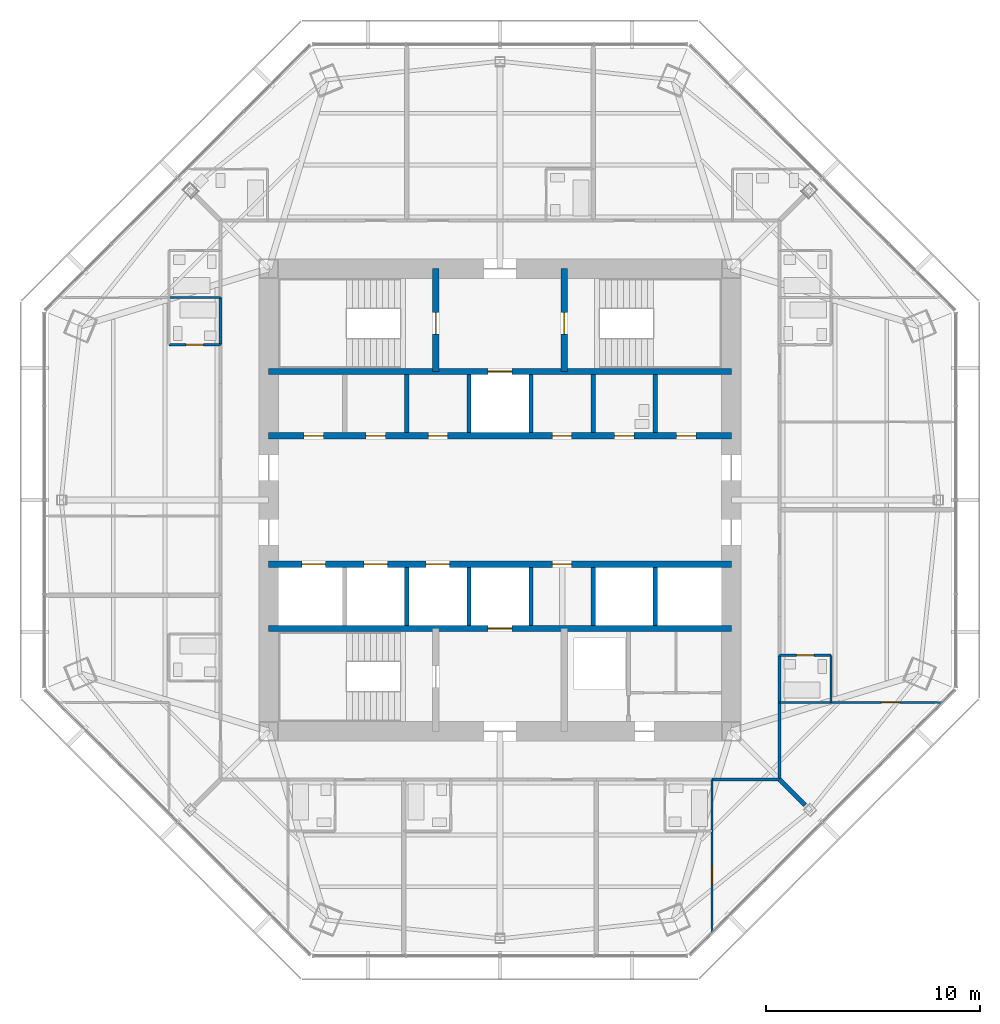
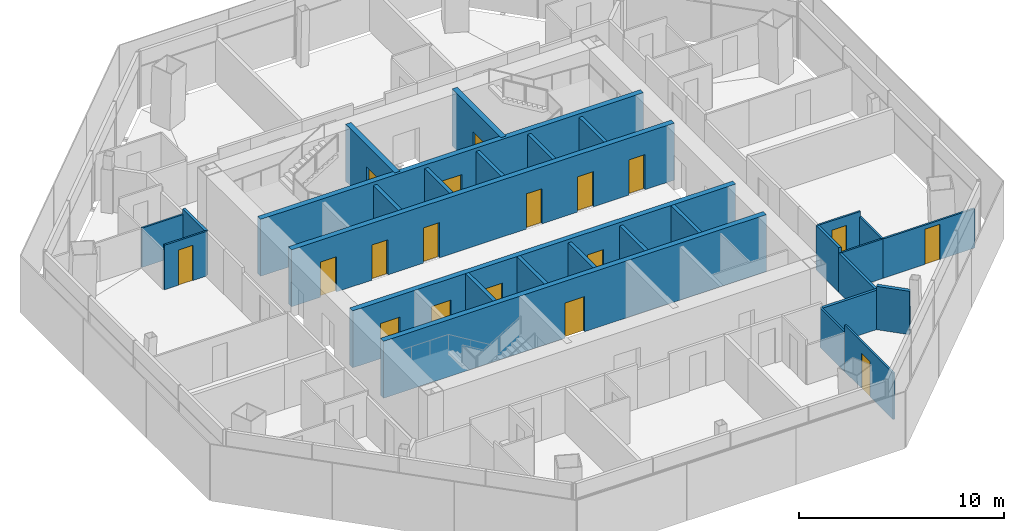
# One storey, part 10 of 14: 29 walls, 18 doors, 18 openings.
"""IFC4 building model written with IfcOpenShell, lengths in metres."""

from ifc_helpers import new_model, si_unit, direction, frame, frame_2d, origin, place, context, subcontext, project, spatial, rectangle, extrude, material, layer, layer_set, type_object, element, fill, save


model = new_model("IFC4")

# Units and contexts
model_context = context("Model", 3, precision=1e-05, world=origin(), true_north=direction((0.0, 1.0)))
body_context = subcontext(model_context, "Body", "Model", "MODEL_VIEW")
ifc_project = project(units=[si_unit("LENGTHUNIT", "METRE"), si_unit("AREAUNIT", "SQUARE_METRE"), si_unit("VOLUMEUNIT", "CUBIC_METRE"), si_unit("PLANEANGLEUNIT", "RADIAN"), si_unit("MASSUNIT", "GRAM", prefix="KILO")], contexts=[model_context])

# Site, building, storey
site_placement = place(None, origin())
site = spatial("IfcSite", under=ifc_project, at=site_placement, CompositionType="ELEMENT")
building_placement = place(site_placement, origin())
building = spatial("IfcBuilding", under=site, at=building_placement, Name="Mashrafa Tower", CompositionType="ELEMENT")
storey_placement = place(building_placement, frame((0.0, 0.0, 238.0)))
storey = spatial("IfcBuildingStorey", under=building, at=storey_placement, Name="L56", CompositionType="ELEMENT", Elevation=238.0)

# Wall
ifc_material_1 = material(Name="Gypsum board on steel studs", Category="steel")
ifc_layer_1 = layer(ifc_material_1, 0.199951171875)
ifc_layer_set_1 = layer_set([ifc_layer_1], Name="Acoustic partition 200 1 hr")
wall_type_1 = type_object("IfcWallType", Name="Acoustic partition 200 1 hr", PredefinedType="PARTITIONING", material=ifc_layer_set_1)
wall_1_placement = place(storey_placement, frame((13.050048828125, -13.050048828125, 0.0), z_axis=(0.0, 0.0, 1.0), x_axis=(0.707106781187, -0.707106781187, 0.0)))
element("IfcWall", 1, at=wall_1_placement, inside=storey, type_object=wall_type_1, Name="Acoustic wall L56-048", PredefinedType="PARTITIONING", context=body_context, shape_type="SweptSolid", body=[
    extrude(rectangle(XDim=1.686279296875, YDim=0.199951171875, at=frame_2d((0.84326171875, 0.0))), origin(), (0.0, 0.0, 1.0), 2.587890625),
])

# Wall, openings, doors
ifc_material_2 = material(Name="Concrete C50/60", Category="concrete")
ifc_layer_2 = layer(ifc_material_2, 0.300048828125)
ifc_layer_set_2 = layer_set([ifc_layer_2], Name="Core wall 300 C50/60")
wall_type_2 = type_object("IfcWallType", Name="Core wall 300 C50/60", PredefinedType="SOLIDWALL", material=ifc_layer_set_2)
wall_2_placement = place(storey_placement, frame((-10.800048828125, 3.0, 0.0), z_axis=(0.0, 0.0, 1.0), x_axis=(1.0, 0.0, 0.0)))
wall_2 = element("IfcWall", 2, at=wall_2_placement, inside=storey, type_object=wall_type_2, Name="Core wall CH-N L56", PredefinedType="SOLIDWALL", context=body_context, shape_type="SweptSolid", body=[
    extrude(rectangle(XDim=21.60009765625, YDim=0.300048828125, at=frame_2d((10.800048828125, 0.0))), origin(), (0.0, 0.0, 1.0), 3.39990234375),
])
opening_1_placement = place(wall_2_placement, frame((1.64990234375, 0.0, 0.0)))
opening_1 = element("IfcOpeningElement", 3, at=opening_1_placement, cuts=wall_2, Name="Opening 56.044", PredefinedType="OPENING", context=body_context, shape_type="SweptSolid", body=[
    extrude(rectangle(XDim=0.89990234375, YDim=2.10009765625, at=frame_2d((0.449951171875, 1.050048828125))), frame((0.0, 0.159912109375, 0.0), z_axis=(0.0, -1.0, 0.0), x_axis=(1.0, 0.0, 0.0)), (0.0, 0.0, 1.0), 0.320068359375),
])
opening_2_placement = place(wall_2_placement, frame((13.25, 0.0, 0.0)))
opening_2 = element("IfcOpeningElement", 4, at=opening_2_placement, cuts=wall_2, Name="Opening 56.045", PredefinedType="OPENING", context=body_context, shape_type="SweptSolid", body=[
    extrude(rectangle(XDim=0.89990234375, YDim=2.10009765625, at=frame_2d((0.449951171875, 1.050048828125))), frame((0.0, 0.159912109375, 0.0), z_axis=(0.0, -1.0, 0.0), x_axis=(1.0, 0.0, 0.0)), (0.0, 0.0, 1.0), 0.320068359375),
])
opening_3_placement = place(wall_2_placement, frame((16.14990234375, 0.0, 0.0)))
opening_3 = element("IfcOpeningElement", 5, at=opening_3_placement, cuts=wall_2, Name="Opening 56.046", PredefinedType="OPENING", context=body_context, shape_type="SweptSolid", body=[
    extrude(rectangle(XDim=0.89990234375, YDim=2.10009765625, at=frame_2d((0.449951171875, 1.050048828125))), frame((0.0, 0.159912109375, 0.0), z_axis=(0.0, -1.0, 0.0), x_axis=(1.0, 0.0, 0.0)), (0.0, 0.0, 1.0), 0.320068359375),
])
opening_4_placement = place(wall_2_placement, frame((4.550048828125, 0.0, 0.0)))
opening_4 = element("IfcOpeningElement", 6, at=opening_4_placement, cuts=wall_2, Name="Opening 56.048", PredefinedType="OPENING", context=body_context, shape_type="SweptSolid", body=[
    extrude(rectangle(XDim=0.89990234375, YDim=2.10009765625, at=frame_2d((0.449951171875, 1.050048828125))), frame((0.0, 0.159912109375, 0.0), z_axis=(0.0, -1.0, 0.0), x_axis=(1.0, 0.0, 0.0)), (0.0, 0.0, 1.0), 0.320068359375),
])
opening_5_placement = place(wall_2_placement, frame((7.449951171875, 0.0, 0.0)))
opening_5 = element("IfcOpeningElement", 7, at=opening_5_placement, cuts=wall_2, Name="Opening 56.049", PredefinedType="OPENING", context=body_context, shape_type="SweptSolid", body=[
    extrude(rectangle(XDim=0.89990234375, YDim=2.10009765625, at=frame_2d((0.449951171875, 1.050048828125))), frame((0.0, 0.159912109375, 0.0), z_axis=(0.0, -1.0, 0.0), x_axis=(1.0, 0.0, 0.0)), (0.0, 0.0, 1.0), 0.320068359375),
])
opening_6_placement = place(wall_2_placement, frame((19.050048828125, 0.0, 0.0)))
opening_6 = element("IfcOpeningElement", 8, at=opening_6_placement, cuts=wall_2, Name="Opening 56.050", PredefinedType="OPENING", context=body_context, shape_type="SweptSolid", body=[
    extrude(rectangle(XDim=0.89990234375, YDim=2.10009765625, at=frame_2d((0.449951171875, 1.050048828125))), frame((0.0, 0.159912109375, 0.0), z_axis=(0.0, -1.0, 0.0), x_axis=(1.0, 0.0, 0.0)), (0.0, 0.0, 1.0), 0.320068359375),
])
ifc_material_3 = material(Name="Timber door", Category="wood")
door_type_1 = type_object("IfcDoorType", Name="Store door 900 x 2100", OperationType="USERDEFINED", PredefinedType="DOOR", material=ifc_material_3)
door_1_placement = place(opening_1_placement, origin())
door_1 = element("IfcDoor", 9, at=door_1_placement, inside=storey, type_object=door_type_1, Name="Refuse Chute Room L56 door", OperationType="SINGLE_SWING_RIGHT", OverallHeight=2.10009765625, OverallWidth=0.89990234375, PredefinedType="DOOR", context=body_context, shape_type="SweptSolid", body=[
    extrude(rectangle(XDim=0.89990234375, YDim=2.10009765625, at=frame_2d((0.449951171875, 1.050048828125))), frame((0.0, 0.02490234375, 0.0), z_axis=(0.0, -1.0, 0.0), x_axis=(1.0, 0.0, 0.0)), (0.0, 0.0, 1.0), 0.050048828125),
])
fill(opening_1, door_1)
door_2_placement = place(opening_2_placement, origin())
door_2 = element("IfcDoor", 10, at=door_2_placement, inside=storey, type_object=door_type_1, Name="Cleaner's Store L56 door", OperationType="SINGLE_SWING_LEFT", OverallHeight=2.10009765625, OverallWidth=0.89990234375, PredefinedType="DOOR", context=body_context, shape_type="SweptSolid", body=[
    extrude(rectangle(XDim=0.89990234375, YDim=2.10009765625, at=frame_2d((0.449951171875, 1.050048828125))), frame((0.0, 0.02490234375, 0.0), z_axis=(0.0, -1.0, 0.0), x_axis=(1.0, 0.0, 0.0)), (0.0, 0.0, 1.0), 0.050048828125),
])
fill(opening_2, door_2)
door_3_placement = place(opening_4_placement, origin())
door_3 = element("IfcDoor", 11, at=door_3_placement, inside=storey, type_object=door_type_1, Name="Residents' Store L56-A2 door", OperationType="SINGLE_SWING_LEFT", OverallHeight=2.10009765625, OverallWidth=0.89990234375, PredefinedType="DOOR", context=body_context, shape_type="SweptSolid", body=[
    extrude(rectangle(XDim=0.89990234375, YDim=2.10009765625, at=frame_2d((0.449951171875, 1.050048828125))), frame((0.0, 0.02490234375, 0.0), z_axis=(0.0, -1.0, 0.0), x_axis=(1.0, 0.0, 0.0)), (0.0, 0.0, 1.0), 0.050048828125),
])
fill(opening_4, door_3)
door_4_placement = place(opening_5_placement, origin())
door_4 = element("IfcDoor", 12, at=door_4_placement, inside=storey, type_object=door_type_1, Name="Residents' Store L56-A3 door", OperationType="SINGLE_SWING_LEFT", OverallHeight=2.10009765625, OverallWidth=0.89990234375, PredefinedType="DOOR", context=body_context, shape_type="SweptSolid", body=[
    extrude(rectangle(XDim=0.89990234375, YDim=2.10009765625, at=frame_2d((0.449951171875, 1.050048828125))), frame((0.0, 0.02490234375, 0.0), z_axis=(0.0, -1.0, 0.0), x_axis=(1.0, 0.0, 0.0)), (0.0, 0.0, 1.0), 0.050048828125),
])
fill(opening_5, door_4)
door_5_placement = place(opening_6_placement, origin())
door_5 = element("IfcDoor", 13, at=door_5_placement, inside=storey, type_object=door_type_1, Name="Residents' Store L56-K2 door", OperationType="SINGLE_SWING_LEFT", OverallHeight=2.10009765625, OverallWidth=0.89990234375, PredefinedType="DOOR", context=body_context, shape_type="SweptSolid", body=[
    extrude(rectangle(XDim=0.89990234375, YDim=2.10009765625, at=frame_2d((0.449951171875, 1.050048828125))), frame((0.0, 0.02490234375, 0.0), z_axis=(0.0, -1.0, 0.0), x_axis=(1.0, 0.0, 0.0)), (0.0, 0.0, 1.0), 0.050048828125),
])
fill(opening_6, door_5)
ifc_material_4 = material(Name="Timber door", Category="wood")
door_type_2 = type_object("IfcDoorType", Name="Toilet door 900 x 2100", OperationType="USERDEFINED", PredefinedType="DOOR", material=ifc_material_4)
door_6_placement = place(opening_3_placement, origin())
door_6 = element("IfcDoor", 14, at=door_6_placement, inside=storey, type_object=door_type_2, Name="Staff WC L56 door", OperationType="SINGLE_SWING_LEFT", OverallHeight=2.10009765625, OverallWidth=0.89990234375, PredefinedType="DOOR", context=body_context, shape_type="SweptSolid", body=[
    extrude(rectangle(XDim=0.89990234375, YDim=2.10009765625, at=frame_2d((0.449951171875, 1.050048828125))), frame((0.0, 0.02490234375, 0.0), z_axis=(0.0, -1.0, 0.0), x_axis=(1.0, 0.0, 0.0)), (0.0, 0.0, 1.0), 0.050048828125),
])
fill(opening_3, door_6)

# Wall, opening, door
wall_3_placement = place(storey_placement, frame((-10.800048828125, 6.0, 0.0), z_axis=(0.0, 0.0, 1.0), x_axis=(1.0, 0.0, 0.0)))
wall_3 = element("IfcWall", 15, at=wall_3_placement, inside=storey, type_object=wall_type_2, Name="Core wall CB-N L56", PredefinedType="SOLIDWALL", context=body_context, shape_type="SweptSolid", body=[
    extrude(rectangle(XDim=21.60009765625, YDim=0.300048828125, at=frame_2d((10.800048828125, 0.0))), origin(), (0.0, 0.0, 1.0), 3.39990234375),
])
opening_7_placement = place(wall_3_placement, frame((10.25, 0.0, 0.0)))
opening_7 = element("IfcOpeningElement", 16, at=opening_7_placement, cuts=wall_3, Name="Opening 56.F1", PredefinedType="OPENING", context=body_context, shape_type="SweptSolid", body=[
    extrude(rectangle(XDim=1.10009765625, YDim=2.10009765625, at=frame_2d((0.550048828125, 1.050048828125))), frame((0.0, 0.159912109375, 0.0), z_axis=(0.0, -1.0, 0.0), x_axis=(1.0, 0.0, 0.0)), (0.0, 0.0, 1.0), 0.320068359375),
])
ifc_material_5 = material(Name="Steel door", Category="steel")
door_type_3 = type_object("IfcDoorType", Name="Lift landing door 1100 x 2100 90 min", OperationType="DOUBLE_DOOR_SLIDING", PredefinedType="DOOR", material=ifc_material_5)
door_7_placement = place(opening_7_placement, origin())
door_7 = element("IfcDoor", 17, at=door_7_placement, inside=storey, type_object=door_type_3, Name="Lift landing door F1 L56", OperationType="DOUBLE_DOOR_SLIDING", OverallHeight=2.10009765625, OverallWidth=1.10009765625, PredefinedType="DOOR", context=body_context, shape_type="SweptSolid", body=[
    extrude(rectangle(XDim=1.10009765625, YDim=2.10009765625, at=frame_2d((0.550048828125, 1.050048828125))), frame((0.0, 0.02490234375, 0.0), z_axis=(0.0, -1.0, 0.0), x_axis=(1.0, 0.0, 0.0)), (0.0, 0.0, 1.0), 0.050048828125),
])
fill(opening_7, door_7)

wall_4_placement = place(storey_placement, frame((-3.0, 6.0, 0.0), z_axis=(0.0, 0.0, 1.0), x_axis=(0.0, 1.0, 0.0)))
wall_4 = element("IfcWall", 18, at=wall_4_placement, inside=storey, type_object=wall_type_2, Name="Core wall CX-NW L56", PredefinedType="SOLIDWALL", context=body_context, shape_type="SweptSolid", body=[
    extrude(rectangle(XDim=4.800048828125, YDim=0.300048828125, at=frame_2d((2.39990234375, 0.0))), origin(), (0.0, 0.0, 1.0), 3.39990234375),
])
opening_8_placement = place(wall_4_placement, frame((1.75, 0.0, 0.0)))
opening_8 = element("IfcOpeningElement", 19, at=opening_8_placement, cuts=wall_4, Name="Opening 56.037", PredefinedType="OPENING", context=body_context, shape_type="SweptSolid", body=[
    extrude(rectangle(XDim=1.0, YDim=2.10009765625, at=frame_2d((0.5, 1.050048828125))), frame((0.0, 0.159912109375, 0.0), z_axis=(0.0, -1.0, 0.0), x_axis=(1.0, 0.0, 0.0)), (0.0, 0.0, 1.0), 0.320068359375),
])
ifc_material_6 = material(Name="Steel door", Category="steel")
door_type_4 = type_object("IfcDoorType", Name="Stair door 1000 x 2100 90 min", OperationType="USERDEFINED", PredefinedType="DOOR", material=ifc_material_6)
door_8_placement = place(opening_8_placement, origin())
door_8 = element("IfcDoor", 20, at=door_8_placement, inside=storey, type_object=door_type_4, Name="Stair S1 door L56", OperationType="SINGLE_SWING_LEFT", OverallHeight=2.10009765625, OverallWidth=1.0, PredefinedType="DOOR", context=body_context, shape_type="SweptSolid", body=[
    extrude(rectangle(XDim=1.0, YDim=2.10009765625, at=frame_2d((0.5, 1.050048828125))), frame((0.0, 0.02490234375, 0.0), z_axis=(0.0, -1.0, 0.0), x_axis=(1.0, 0.0, 0.0)), (0.0, 0.0, 1.0), 0.050048828125),
])
fill(opening_8, door_8)

wall_5_placement = place(storey_placement, frame((3.0, 6.0, 0.0), z_axis=(0.0, 0.0, 1.0), x_axis=(0.0, 1.0, 0.0)))
wall_5 = element("IfcWall", 21, at=wall_5_placement, inside=storey, type_object=wall_type_2, Name="Core wall CX-NE L56", PredefinedType="SOLIDWALL", context=body_context, shape_type="SweptSolid", body=[
    extrude(rectangle(XDim=4.800048828125, YDim=0.300048828125, at=frame_2d((2.39990234375, 0.0))), origin(), (0.0, 0.0, 1.0), 3.39990234375),
])
opening_9_placement = place(wall_5_placement, frame((1.75, 0.0, 0.0)))
opening_9 = element("IfcOpeningElement", 22, at=opening_9_placement, cuts=wall_5, Name="Opening 56.038", PredefinedType="OPENING", context=body_context, shape_type="SweptSolid", body=[
    extrude(rectangle(XDim=1.0, YDim=2.10009765625, at=frame_2d((0.5, 1.050048828125))), frame((0.0, 0.159912109375, 0.0), z_axis=(0.0, -1.0, 0.0), x_axis=(1.0, 0.0, 0.0)), (0.0, 0.0, 1.0), 0.320068359375),
])
door_9_placement = place(opening_9_placement, frame((1.0, 0.0, 0.0), z_axis=(0.0, 0.0, 1.0), x_axis=(-1.0, 0.0, 0.0)))
door_9 = element("IfcDoor", 23, at=door_9_placement, inside=storey, type_object=door_type_4, Name="Stair S2 door L56", OperationType="SINGLE_SWING_RIGHT", OverallHeight=2.10009765625, OverallWidth=1.0, PredefinedType="DOOR", context=body_context, shape_type="SweptSolid", body=[
    extrude(rectangle(XDim=1.0, YDim=2.10009765625, at=frame_2d((0.5, 1.050048828125))), frame((0.0, 0.02490234375, 0.0), z_axis=(0.0, -1.0, 0.0), x_axis=(1.0, 0.0, 0.0)), (0.0, 0.0, 1.0), 0.050048828125),
])
fill(opening_9, door_9)

# Wall, openings, doors
wall_6_placement = place(storey_placement, frame((-10.800048828125, -3.0, 0.0), z_axis=(0.0, 0.0, 1.0), x_axis=(1.0, 0.0, 0.0)))
wall_6 = element("IfcWall", 24, at=wall_6_placement, inside=storey, type_object=wall_type_2, Name="Core wall CH-S L56", PredefinedType="SOLIDWALL", context=body_context, shape_type="SweptSolid", body=[
    extrude(rectangle(XDim=21.60009765625, YDim=0.300048828125, at=frame_2d((10.800048828125, 0.0))), origin(), (0.0, 0.0, 1.0), 3.39990234375),
])
opening_10_placement = place(wall_6_placement, frame((13.25, 0.0, 0.0)))
opening_10 = element("IfcOpeningElement", 25, at=opening_10_placement, cuts=wall_6, Name="Opening 56.047", PredefinedType="OPENING", context=body_context, shape_type="SweptSolid", body=[
    extrude(rectangle(XDim=0.89990234375, YDim=2.10009765625, at=frame_2d((0.449951171875, 1.050048828125))), frame((0.0, 0.159912109375, 0.0), z_axis=(0.0, -1.0, 0.0), x_axis=(1.0, 0.0, 0.0)), (0.0, 0.0, 1.0), 0.320068359375),
])
opening_11_placement = place(wall_6_placement, frame((1.550048828125, 0.0, 0.0)))
opening_11 = element("IfcOpeningElement", 26, at=opening_11_placement, cuts=wall_6, Name="Opening 56.AL1", PredefinedType="OPENING", context=body_context, shape_type="SweptSolid", body=[
    extrude(rectangle(XDim=1.10009765625, YDim=2.10009765625, at=frame_2d((0.550048828125, 1.050048828125))), frame((0.0, 0.159912109375, 0.0), z_axis=(0.0, -1.0, 0.0), x_axis=(1.0, 0.0, 0.0)), (0.0, 0.0, 1.0), 0.320068359375),
])
opening_12_placement = place(wall_6_placement, frame((4.449951171875, 0.0, 0.0)))
opening_12 = element("IfcOpeningElement", 27, at=opening_12_placement, cuts=wall_6, Name="Opening 56.AL2", PredefinedType="OPENING", context=body_context, shape_type="SweptSolid", body=[
    extrude(rectangle(XDim=1.10009765625, YDim=2.10009765625, at=frame_2d((0.550048828125, 1.050048828125))), frame((0.0, 0.159912109375, 0.0), z_axis=(0.0, -1.0, 0.0), x_axis=(1.0, 0.0, 0.0)), (0.0, 0.0, 1.0), 0.320068359375),
])
opening_13_placement = place(wall_6_placement, frame((7.35009765625, 0.0, 0.0)))
opening_13 = element("IfcOpeningElement", 28, at=opening_13_placement, cuts=wall_6, Name="Opening 56.AL3", PredefinedType="OPENING", context=body_context, shape_type="SweptSolid", body=[
    extrude(rectangle(XDim=1.10009765625, YDim=2.10009765625, at=frame_2d((0.550048828125, 1.050048828125))), frame((0.0, 0.159912109375, 0.0), z_axis=(0.0, -1.0, 0.0), x_axis=(1.0, 0.0, 0.0)), (0.0, 0.0, 1.0), 0.320068359375),
])
door_10_placement = place(opening_11_placement, origin())
door_10 = element("IfcDoor", 29, at=door_10_placement, inside=storey, type_object=door_type_3, Name="Lift landing door AL1 L56", OperationType="DOUBLE_DOOR_SLIDING", OverallHeight=2.10009765625, OverallWidth=1.10009765625, PredefinedType="DOOR", context=body_context, shape_type="SweptSolid", body=[
    extrude(rectangle(XDim=1.10009765625, YDim=2.10009765625, at=frame_2d((0.550048828125, 1.050048828125))), frame((0.0, 0.02490234375, 0.0), z_axis=(0.0, -1.0, 0.0), x_axis=(1.0, 0.0, 0.0)), (0.0, 0.0, 1.0), 0.050048828125),
])
fill(opening_11, door_10)
door_11_placement = place(opening_12_placement, origin())
door_11 = element("IfcDoor", 30, at=door_11_placement, inside=storey, type_object=door_type_3, Name="Lift landing door AL2 L56", OperationType="DOUBLE_DOOR_SLIDING", OverallHeight=2.10009765625, OverallWidth=1.10009765625, PredefinedType="DOOR", context=body_context, shape_type="SweptSolid", body=[
    extrude(rectangle(XDim=1.10009765625, YDim=2.10009765625, at=frame_2d((0.550048828125, 1.050048828125))), frame((0.0, 0.02490234375, 0.0), z_axis=(0.0, -1.0, 0.0), x_axis=(1.0, 0.0, 0.0)), (0.0, 0.0, 1.0), 0.050048828125),
])
fill(opening_12, door_11)
door_12_placement = place(opening_13_placement, origin())
door_12 = element("IfcDoor", 31, at=door_12_placement, inside=storey, type_object=door_type_3, Name="Lift landing door AL3 L56", OperationType="DOUBLE_DOOR_SLIDING", OverallHeight=2.10009765625, OverallWidth=1.10009765625, PredefinedType="DOOR", context=body_context, shape_type="SweptSolid", body=[
    extrude(rectangle(XDim=1.10009765625, YDim=2.10009765625, at=frame_2d((0.550048828125, 1.050048828125))), frame((0.0, 0.02490234375, 0.0), z_axis=(0.0, -1.0, 0.0), x_axis=(1.0, 0.0, 0.0)), (0.0, 0.0, 1.0), 0.050048828125),
])
fill(opening_13, door_12)
door_13_placement = place(opening_10_placement, frame((0.89990234375, 0.0, 0.0), z_axis=(0.0, 0.0, 1.0), x_axis=(-1.0, 0.0, 0.0)))
door_13 = element("IfcDoor", 32, at=door_13_placement, inside=storey, type_object=door_type_1, Name="Linen Store L56 door", OperationType="SINGLE_SWING_RIGHT", OverallHeight=2.10009765625, OverallWidth=0.89990234375, PredefinedType="DOOR", context=body_context, shape_type="SweptSolid", body=[
    extrude(rectangle(XDim=0.89990234375, YDim=2.10009765625, at=frame_2d((0.449951171875, 1.050048828125))), frame((0.0, 0.02490234375, 0.0), z_axis=(0.0, -1.0, 0.0), x_axis=(1.0, 0.0, 0.0)), (0.0, 0.0, 1.0), 0.050048828125),
])
fill(opening_10, door_13)

# Wall, opening, door
wall_7_placement = place(storey_placement, frame((-10.800048828125, -6.0, 0.0), z_axis=(0.0, 0.0, 1.0), x_axis=(1.0, 0.0, 0.0)))
wall_7 = element("IfcWall", 33, at=wall_7_placement, inside=storey, type_object=wall_type_2, Name="Core wall CB-S L56", PredefinedType="SOLIDWALL", context=body_context, shape_type="SweptSolid", body=[
    extrude(rectangle(XDim=21.60009765625, YDim=0.300048828125, at=frame_2d((10.800048828125, 0.0))), origin(), (0.0, 0.0, 1.0), 3.39990234375),
])
opening_14_placement = place(wall_7_placement, frame((10.25, 0.0, 0.0)))
opening_14 = element("IfcOpeningElement", 34, at=opening_14_placement, cuts=wall_7, Name="Opening 56.F2", PredefinedType="OPENING", context=body_context, shape_type="SweptSolid", body=[
    extrude(rectangle(XDim=1.10009765625, YDim=2.10009765625, at=frame_2d((0.550048828125, 1.050048828125))), frame((0.0, 0.159912109375, 0.0), z_axis=(0.0, -1.0, 0.0), x_axis=(1.0, 0.0, 0.0)), (0.0, 0.0, 1.0), 0.320068359375),
])
door_14_placement = place(opening_14_placement, origin())
door_14 = element("IfcDoor", 35, at=door_14_placement, inside=storey, type_object=door_type_3, Name="Lift landing door F2 L56", OperationType="DOUBLE_DOOR_SLIDING", OverallHeight=2.10009765625, OverallWidth=1.10009765625, PredefinedType="DOOR", context=body_context, shape_type="SweptSolid", body=[
    extrude(rectangle(XDim=1.10009765625, YDim=2.10009765625, at=frame_2d((0.550048828125, 1.050048828125))), frame((0.0, 0.02490234375, 0.0), z_axis=(0.0, -1.0, 0.0), x_axis=(1.0, 0.0, 0.0)), (0.0, 0.0, 1.0), 0.050048828125),
])
fill(opening_14, door_14)

# Walls
ifc_material_7 = material(Name="Gypsum board on steel studs", Category="steel")
ifc_layer_3 = layer(ifc_material_7, 0.14990234375)
ifc_layer_set_3 = layer_set([ifc_layer_3], Name="Corridor partition 150 1 hr")
wall_type_3 = type_object("IfcWallType", Name="Corridor partition 150 1 hr", PredefinedType="PARTITIONING", material=ifc_layer_set_3)
wall_8_placement = place(storey_placement, frame((13.050048828125, -13.050048828125, 0.0), z_axis=(0.0, 0.0, 1.0), x_axis=(0.0, 1.0, 0.0)))
element("IfcWall", 36, at=wall_8_placement, inside=storey, type_object=wall_type_3, Name="Corridor wall L56-001", PredefinedType="PARTITIONING", context=body_context, shape_type="SweptSolid", body=[
    extrude(rectangle(XDim=3.60107421875, YDim=0.14990234375, at=frame_2d((1.800537109375, 0.0))), origin(), (0.0, 0.0, 1.0), 2.349365234375),
])
for number, where, z_axis, x_axis, name in (
    (37, (13.050048828125, -9.450927734375, 0.0), (0.0, 0.0, 1.0), (0.0, 1.0, 0.0), "Corridor wall L56-002"),
    (38, (-13.050048828125, 9.450927734375, 0.0), (0.0, 0.0, 1.0), (0.0, -1.0, 0.0), "Corridor wall L56-026"),
):
    element("IfcWall", number, at=place(storey_placement, frame(where, z_axis=z_axis, x_axis=x_axis)), inside=storey, type_object=wall_type_3, Name=name, PredefinedType="PARTITIONING", context=body_context, shape_type="SweptSolid", body=[
        extrude(rectangle(XDim=2.201904296875, YDim=0.14990234375, at=frame_2d((1.10107421875, 0.0))), origin(), (0.0, 0.0, 1.0), 2.66162109375),
    ])
wall_9_placement = place(storey_placement, frame((9.89892578125, -13.050048828125, 0.0), z_axis=(0.0, 0.0, 1.0), x_axis=(1.0, 0.0, 0.0)))
element("IfcWall", 39, at=wall_9_placement, inside=storey, type_object=wall_type_3, Name="Corridor wall L56-042", PredefinedType="PARTITIONING", context=body_context, shape_type="SweptSolid", body=[
    extrude(rectangle(XDim=3.151123046875, YDim=0.14990234375, at=frame_2d((1.57568359375, 0.0))), origin(), (0.0, 0.0, 1.0), 2.349365234375),
])
ifc_material_8 = material(Name="Gypsum board on steel studs", Category="steel")
ifc_layer_4 = layer(ifc_material_8, 0.10009765625)
ifc_layer_set_4 = layer_set([ifc_layer_4], Name="Partition 100")
wall_type_4 = type_object("IfcWallType", Name="Partition 100", PredefinedType="PARTITIONING", material=ifc_layer_set_4)
wall_10_placement = place(storey_placement, frame((15.450927734375, -9.449951171875, 0.0), z_axis=(0.0, 0.0, 1.0), x_axis=(-1.0, 0.0, 0.0)))
element("IfcWall", 40, at=wall_10_placement, inside=storey, type_object=wall_type_4, Name="Partition wall L56-046", PredefinedType="PARTITIONING", context=body_context, shape_type="SweptSolid", body=[
    extrude(rectangle(XDim=2.40087890625, YDim=0.10009765625, at=frame_2d((1.200439453125, 0.0))), origin(), (0.0, 0.0, 1.0), 2.349365234375),
])

# Wall, opening, door
wall_11_placement = place(storey_placement, frame((20.62548828125, -9.449951171875, 0.0), z_axis=(0.0, 0.0, 1.0), x_axis=(-1.0, 0.0, 0.0)))
wall_11 = element("IfcWall", 41, at=wall_11_placement, inside=storey, type_object=wall_type_4, Name="Partition wall L56-047", PredefinedType="PARTITIONING", context=body_context, shape_type="SweptSolid", body=[
    extrude(rectangle(XDim=5.176513671875, YDim=0.10009765625, at=frame_2d((2.58837890625, 0.0))), origin(), (0.0, 0.0, 1.0), 2.349365234375),
])
opening_15_placement = place(wall_11_placement, frame((1.96630859375, 0.0, 0.0)))
opening_15 = element("IfcOpeningElement", 42, at=opening_15_placement, cuts=wall_11, Name="Opening 56.001", PredefinedType="OPENING", context=body_context, shape_type="SweptSolid", body=[
    extrude(rectangle(XDim=0.85009765625, YDim=2.10009765625, at=frame_2d((0.425048828125, 1.050048828125))), frame((0.0, 0.06005859375, 0.0), z_axis=(0.0, -1.0, 0.0), x_axis=(1.0, 0.0, 0.0)), (0.0, 0.0, 1.0), 0.1201171875),
])
ifc_material_9 = material(Name="Timber door", Category="wood")
door_type_5 = type_object("IfcDoorType", Name="Bedroom door 850 x 2100", OperationType="USERDEFINED", PredefinedType="DOOR", material=ifc_material_9)
door_15_placement = place(opening_15_placement, origin())
door_15 = element("IfcDoor", 43, at=door_15_placement, inside=storey, type_object=door_type_5, Name="Apartment 5601 Bedroom 1 door", OperationType="SINGLE_SWING_LEFT", OverallHeight=2.10009765625, OverallWidth=0.85009765625, PredefinedType="DOOR", context=body_context, shape_type="SweptSolid", body=[
    extrude(rectangle(XDim=0.85009765625, YDim=2.10009765625, at=frame_2d((0.425048828125, 1.050048828125))), frame((0.0, 0.02490234375, 0.0), z_axis=(0.0, -1.0, 0.0), x_axis=(1.0, 0.0, 0.0)), (0.0, 0.0, 1.0), 0.050048828125),
])
fill(opening_15, door_15)

# Wall
wall_12_placement = place(storey_placement, frame((15.449951171875, -9.449951171875, 0.0), z_axis=(0.0, 0.0, 1.0), x_axis=(0.0, 1.0, 0.0)))
element("IfcWall", 44, at=wall_12_placement, inside=storey, type_object=wall_type_4, Name="Partition wall L56-049", PredefinedType="PARTITIONING", context=body_context, shape_type="SweptSolid", body=[
    extrude(rectangle(XDim=2.199951171875, YDim=0.10009765625, at=frame_2d((1.10009765625, 0.0))), origin(), (0.0, 0.0, 1.0), 2.349365234375),
])

# Wall, opening, door
wall_13_placement = place(storey_placement, frame((15.449951171875, -7.25, 0.0), z_axis=(0.0, 0.0, 1.0), x_axis=(-1.0, 0.0, 0.0)))
wall_13 = element("IfcWall", 45, at=wall_13_placement, inside=storey, type_object=wall_type_4, Name="Partition wall L56-050", PredefinedType="PARTITIONING", context=body_context, shape_type="SweptSolid", body=[
    extrude(rectangle(XDim=2.39990234375, YDim=0.10009765625, at=frame_2d((1.199951171875, 0.0))), origin(), (0.0, 0.0, 1.0), 2.66162109375),
])
opening_16_placement = place(wall_13_placement, frame((0.800048828125, 0.0, 0.0)))
opening_16 = element("IfcOpeningElement", 46, at=opening_16_placement, cuts=wall_13, Name="Opening 56.002", PredefinedType="OPENING", context=body_context, shape_type="SweptSolid", body=[
    extrude(rectangle(XDim=0.800048828125, YDim=2.10009765625, at=frame_2d((0.39990234375, 1.050048828125))), frame((0.0, 0.06005859375, 0.0), z_axis=(0.0, -1.0, 0.0), x_axis=(1.0, 0.0, 0.0)), (0.0, 0.0, 1.0), 0.1201171875),
])
ifc_material_10 = material(Name="Timber door", Category="wood")
door_type_6 = type_object("IfcDoorType", Name="Bathroom door 800 x 2100", OperationType="USERDEFINED", PredefinedType="DOOR", material=ifc_material_10)
door_16_placement = place(opening_16_placement, origin())
door_16 = element("IfcDoor", 47, at=door_16_placement, inside=storey, type_object=door_type_6, Name="Apartment 5601 Bathroom door", OperationType="SINGLE_SWING_RIGHT", OverallHeight=2.10009765625, OverallWidth=0.800048828125, PredefinedType="DOOR", context=body_context, shape_type="SweptSolid", body=[
    extrude(rectangle(XDim=0.800048828125, YDim=2.10009765625, at=frame_2d((0.39990234375, 1.050048828125))), frame((0.0, 0.02490234375, 0.0), z_axis=(0.0, -1.0, 0.0), x_axis=(1.0, 0.0, 0.0)), (0.0, 0.0, 1.0), 0.050048828125),
])
fill(opening_16, door_16)

# Wall
wall_14_placement = place(storey_placement, frame((-15.449951171875, 9.449951171875, 0.0), z_axis=(0.0, 0.0, 1.0), x_axis=(1.0, 0.0, 0.0)))
element("IfcWall", 48, at=wall_14_placement, inside=storey, type_object=wall_type_4, Name="Partition wall L56-073", PredefinedType="PARTITIONING", context=body_context, shape_type="SweptSolid", body=[
    extrude(rectangle(XDim=2.39990234375, YDim=0.10009765625, at=frame_2d((1.199951171875, 0.0))), origin(), (0.0, 0.0, 1.0), 2.349365234375),
])

# Wall, opening, door
wall_15_placement = place(storey_placement, frame((-15.449951171875, 7.25, 0.0), z_axis=(0.0, 0.0, 1.0), x_axis=(1.0, 0.0, 0.0)))
wall_15 = element("IfcWall", 49, at=wall_15_placement, inside=storey, type_object=wall_type_4, Name="Partition wall L56-076", PredefinedType="PARTITIONING", context=body_context, shape_type="SweptSolid", body=[
    extrude(rectangle(XDim=2.39990234375, YDim=0.10009765625, at=frame_2d((1.199951171875, 0.0))), origin(), (0.0, 0.0, 1.0), 2.66162109375),
])
opening_17_placement = place(wall_15_placement, frame((0.800048828125, 0.0, 0.0)))
opening_17 = element("IfcOpeningElement", 50, at=opening_17_placement, cuts=wall_15, Name="Opening 56.017", PredefinedType="OPENING", context=body_context, shape_type="SweptSolid", body=[
    extrude(rectangle(XDim=0.800048828125, YDim=2.10009765625, at=frame_2d((0.39990234375, 1.050048828125))), frame((0.0, 0.06005859375, 0.0), z_axis=(0.0, -1.0, 0.0), x_axis=(1.0, 0.0, 0.0)), (0.0, 0.0, 1.0), 0.1201171875),
])
door_17_placement = place(opening_17_placement, origin())
door_17 = element("IfcDoor", 51, at=door_17_placement, inside=storey, type_object=door_type_6, Name="Apartment 5606 Bathroom door", OperationType="SINGLE_SWING_RIGHT", OverallHeight=2.10009765625, OverallWidth=0.800048828125, PredefinedType="DOOR", context=body_context, shape_type="SweptSolid", body=[
    extrude(rectangle(XDim=0.800048828125, YDim=2.10009765625, at=frame_2d((0.39990234375, 1.050048828125))), frame((0.0, 0.02490234375, 0.0), z_axis=(0.0, -1.0, 0.0), x_axis=(1.0, 0.0, 0.0)), (0.0, 0.0, 1.0), 0.050048828125),
])
fill(opening_17, door_17)

# Wall
wall_16_placement = place(storey_placement, frame((9.89990234375, -13.050048828125, 0.0), z_axis=(0.0, 0.0, 1.0), x_axis=(0.0, -1.0, 0.0)))
element("IfcWall", 52, at=wall_16_placement, inside=storey, type_object=wall_type_4, Name="Partition wall L56-096", PredefinedType="PARTITIONING", context=body_context, shape_type="SweptSolid", body=[
    extrude(rectangle(XDim=2.40087890625, YDim=0.10009765625, at=frame_2d((1.200439453125, 0.0))), origin(), (0.0, 0.0, 1.0), 2.349365234375),
])

# Wall, opening, door
wall_17_placement = place(storey_placement, frame((9.89990234375, -15.448974609375, 0.0), z_axis=(0.0, 0.0, 1.0), x_axis=(0.0, -1.0, 0.0)))
wall_17 = element("IfcWall", 53, at=wall_17_placement, inside=storey, type_object=wall_type_4, Name="Partition wall L56-097", PredefinedType="PARTITIONING", context=body_context, shape_type="SweptSolid", body=[
    extrude(rectangle(XDim=4.7265625, YDim=0.10009765625, at=frame_2d((2.36328125, 0.0))), origin(), (0.0, 0.0, 1.0), 2.78369140625),
])
opening_18_placement = place(wall_17_placement, frame((1.631103515625, 0.0, 0.0)))
opening_18 = element("IfcOpeningElement", 54, at=opening_18_placement, cuts=wall_17, Name="Opening 56.028", PredefinedType="OPENING", context=body_context, shape_type="SweptSolid", body=[
    extrude(rectangle(XDim=0.85009765625, YDim=2.10009765625, at=frame_2d((0.425048828125, 1.050048828125))), frame((0.0, 0.06005859375, 0.0), z_axis=(0.0, -1.0, 0.0), x_axis=(1.0, 0.0, 0.0)), (0.0, 0.0, 1.0), 0.1201171875),
])
door_18_placement = place(opening_18_placement, origin())
door_18 = element("IfcDoor", 55, at=door_18_placement, inside=storey, type_object=door_type_5, Name="Apartment 5610 Bedroom 1 door", OperationType="SINGLE_SWING_RIGHT", OverallHeight=2.10009765625, OverallWidth=0.85009765625, PredefinedType="DOOR", context=body_context, shape_type="SweptSolid", body=[
    extrude(rectangle(XDim=0.85009765625, YDim=2.10009765625, at=frame_2d((0.425048828125, 1.050048828125))), frame((0.0, 0.02490234375, 0.0), z_axis=(0.0, -1.0, 0.0), x_axis=(1.0, 0.0, 0.0)), (0.0, 0.0, 1.0), 0.050048828125),
])
fill(opening_18, door_18)

# Walls
ifc_material_11 = material(Name="Gypsum shaft wall on steel studs", Category="steel")
ifc_layer_5 = layer(ifc_material_11, 0.199951171875)
ifc_layer_set_5 = layer_set([ifc_layer_5], Name="Shaft divider wall 200 2 hr")
wall_type_5 = type_object("IfcWallType", Name="Shaft divider wall 200 2 hr", PredefinedType="PARTITIONING", material=ifc_layer_set_5)
for number, where, z_axis, x_axis, name in (
    (56, (-4.35009765625, 3.14990234375, 0.0), (0.0, 0.0, 1.0), (0.0, 1.0, 0.0), "Shaft divider wall N2 L56"),
    (57, (-1.449951171875, 3.14990234375, 0.0), (0.0, 0.0, 1.0), (0.0, 1.0, 0.0), "Shaft divider wall N3 L56"),
    (58, (1.449951171875, 3.14990234375, 0.0), (0.0, 0.0, 1.0), (0.0, 1.0, 0.0), "Shaft divider wall N4 L56"),
    (59, (4.35009765625, 3.14990234375, 0.0), (0.0, 0.0, 1.0), (0.0, 1.0, 0.0), "Shaft divider wall N5 L56"),
    (60, (7.25, 3.14990234375, 0.0), (0.0, 0.0, 1.0), (0.0, 1.0, 0.0), "Shaft divider wall N6 L56"),
):
    element("IfcWall", number, at=place(storey_placement, frame(where, z_axis=z_axis, x_axis=x_axis)), inside=storey, type_object=wall_type_5, Name=name, PredefinedType="PARTITIONING", context=body_context, shape_type="SweptSolid", body=[
        extrude(rectangle(XDim=2.7001953125, YDim=0.199951171875, at=frame_2d((1.35009765625, 0.0))), origin(), (0.0, 0.0, 1.0), 3.199951171875),
    ])
for number, where, z_axis, x_axis, name in (
    (61, (-4.35009765625, -5.85009765625, 0.0), (0.0, 0.0, 1.0), (0.0, 1.0, 0.0), "Shaft divider wall S2 L56"),
    (62, (-1.449951171875, -5.85009765625, 0.0), (0.0, 0.0, 1.0), (0.0, 1.0, 0.0), "Shaft divider wall S3 L56"),
):
    element("IfcWall", number, at=place(storey_placement, frame(where, z_axis=z_axis, x_axis=x_axis)), inside=storey, type_object=wall_type_5, Name=name, PredefinedType="PARTITIONING", context=body_context, shape_type="SweptSolid", body=[
        extrude(rectangle(XDim=2.7001953125, YDim=0.199951171875, at=frame_2d((1.35009765625, 0.0))), origin(), (0.0, 0.0, 1.0), 3.39990234375),
    ])
for number, where, z_axis, x_axis, name in (
    (63, (1.449951171875, -5.85009765625, 0.0), (0.0, 0.0, 1.0), (0.0, 1.0, 0.0), "Shaft divider wall S4 L56"),
    (64, (4.35009765625, -5.85009765625, 0.0), (0.0, 0.0, 1.0), (0.0, 1.0, 0.0), "Shaft divider wall S5 L56"),
):
    element("IfcWall", number, at=place(storey_placement, frame(where, z_axis=z_axis, x_axis=x_axis)), inside=storey, type_object=wall_type_5, Name=name, PredefinedType="PARTITIONING", context=body_context, shape_type="SweptSolid", body=[
        extrude(rectangle(XDim=2.7001953125, YDim=0.199951171875, at=frame_2d((1.35009765625, 0.0))), origin(), (0.0, 0.0, 1.0), 3.199951171875),
    ])
wall_18_placement = place(storey_placement, frame((7.25, -5.85009765625, 0.0), z_axis=(0.0, 0.0, 1.0), x_axis=(0.0, 1.0, 0.0)))
element("IfcWall", 65, at=wall_18_placement, inside=storey, type_object=wall_type_5, Name="Shaft divider wall S6 L56", PredefinedType="PARTITIONING", context=body_context, shape_type="SweptSolid", body=[
    extrude(rectangle(XDim=2.7001953125, YDim=0.199951171875, at=frame_2d((1.35009765625, 0.0))), origin(), (0.0, 0.0, 1.0), 3.39990234375),
])

save(model, "model.ifc")
